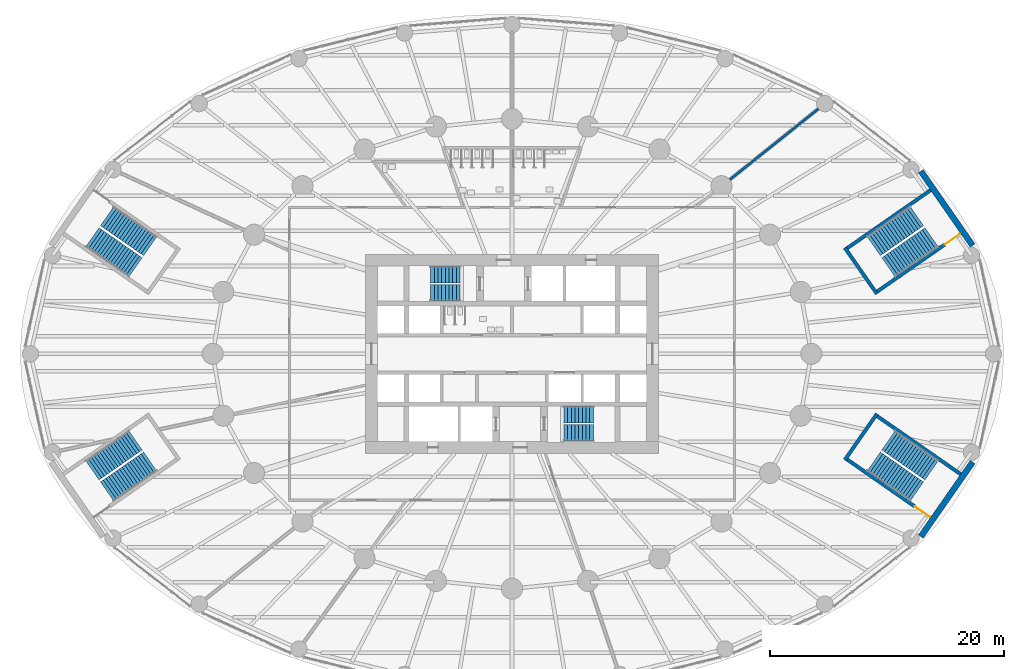
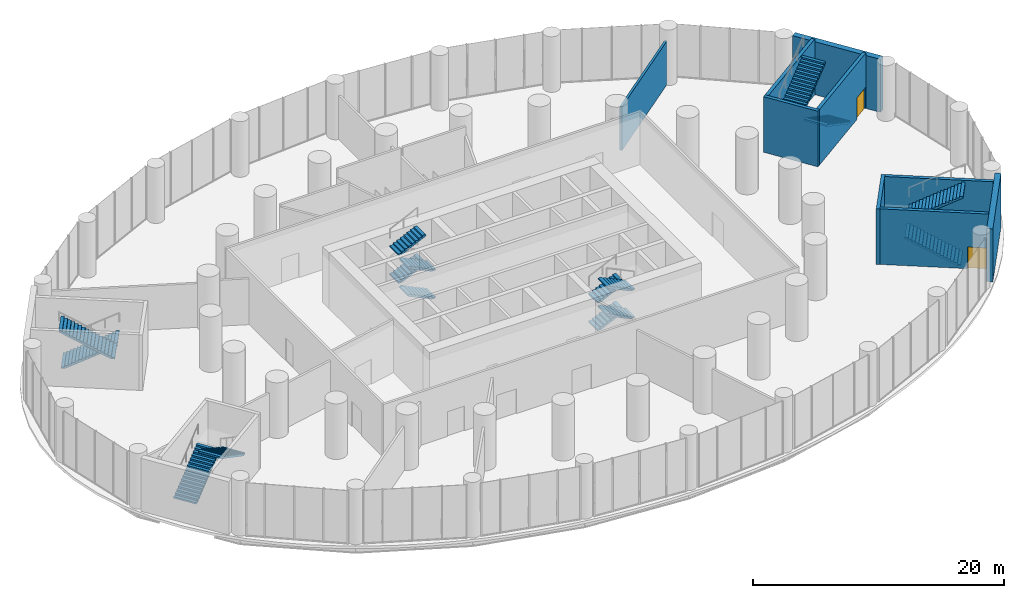
# One storey, part 18 of 21: 16 stair flights, 9 walls, 2 doors, 2 openings, 6 elements without a shape of their own.
"""IFC4 building model written with IfcOpenShell, lengths in metres."""

from ifc_helpers import new_model, si_unit, direction, frame, frame_2d, origin, place, context, subcontext, project, spatial, polyline, rectangle, outline, extrude, material, layer, layer_set, type_object, element, fill, aggregate, save


model = new_model("IFC4")

# Units and contexts
model_context = context("Model", 3, precision=1e-05, world=origin(), true_north=direction((0.0, 1.0)))
body_context = subcontext(model_context, "Body", "Model", "MODEL_VIEW")
ifc_project = project(units=[si_unit("LENGTHUNIT", "METRE"), si_unit("AREAUNIT", "SQUARE_METRE"), si_unit("VOLUMEUNIT", "CUBIC_METRE"), si_unit("PLANEANGLEUNIT", "RADIAN"), si_unit("MASSUNIT", "GRAM", prefix="KILO")], contexts=[model_context])

# Site, building, storey
site_placement = place(None, origin())
site = spatial("IfcSite", under=ifc_project, at=site_placement, CompositionType="ELEMENT")
building_placement = place(site_placement, origin())
building = spatial("IfcBuilding", under=site, at=building_placement, Name="Hankou Lantern Tower", CompositionType="ELEMENT")
storey_placement = place(building_placement, frame((0.0, 0.0, 13.800048828125)))
storey = spatial("IfcBuildingStorey", under=building, at=storey_placement, Name="L02", CompositionType="ELEMENT", Elevation=13.800048828125)

# Wall, opening, door
ifc_material_1 = material(Name="Concrete C50", Category="concrete")
ifc_layer_1 = layer(ifc_material_1, 0.300048828125)
ifc_layer_set_1 = layer_set([ifc_layer_1], Name="Concrete C50")
wall_type_1 = type_object("IfcWallType", Name="CW7 PODIUM STAIR WALL 300", PredefinedType="SHEAR", material=ifc_layer_set_1)
wall_1_placement = place(storey_placement, frame((38.29931640625, 10.273681640625, 0.0), z_axis=(0.0, 0.0, 1.0), x_axis=(-0.820936803751, -0.571019057692, 0.0)))
wall_1 = element("IfcWall", 1, at=wall_1_placement, inside=storey, type_object=wall_type_1, Name="Podium stair P1 wall", PredefinedType="SHEAR", context=body_context, shape_type="SweptSolid", body=[
    extrude(rectangle(XDim=8.66015625, YDim=0.300048828125, at=frame_2d((4.330078125, 0.0))), origin(), (0.0, 0.0, 1.0), 5.39990234375),
])
opening_1_placement = place(wall_1_placement, frame((0.050048828125, 0.0, 0.0)))
opening_1 = element("IfcOpeningElement", 2, at=opening_1_placement, cuts=wall_1, Name="Opening D16", PredefinedType="OPENING", context=body_context, shape_type="SweptSolid", body=[
    extrude(rectangle(XDim=1.60009765625, YDim=2.10009765625, at=frame_2d((0.800048828125, 1.050048828125))), frame((0.0, 0.159912109375, 0.0), z_axis=(0.0, -1.0, 0.0), x_axis=(1.0, 0.0, 0.0)), (0.0, 0.0, 1.0), 0.320068359375),
])
ifc_material_2 = material(Name="Steel door leaf", Category="steel")
door_type = type_object("IfcDoorType", Name="D16 PODIUM STAIR DOOR 1600X2100", OperationType="SINGLE_SWING_LEFT", PredefinedType="DOOR", material=ifc_material_2)
door_1_placement = place(opening_1_placement, origin())
door_1 = element("IfcDoor", 3, at=door_1_placement, inside=storey, type_object=door_type, Name="Podium stair P1 door", OperationType="SINGLE_SWING_RIGHT", OverallHeight=2.10009765625, OverallWidth=1.60009765625, PredefinedType="DOOR", context=body_context, shape_type="SweptSolid", body=[
    extrude(rectangle(XDim=1.60009765625, YDim=2.10009765625, at=frame_2d((0.800048828125, 1.050048828125))), frame((0.0, 0.02490234375, 0.0), z_axis=(0.0, -1.0, 0.0), x_axis=(1.0, 0.0, 0.0)), (0.0, 0.0, 1.0), 0.050048828125),
])
fill(opening_1, door_1)

# Walls
wall_2_placement = place(storey_placement, frame((35.7294921875, 13.968017578125, 0.0), z_axis=(0.0, 0.0, 1.0), x_axis=(-0.82092761123, -0.571032273274, 0.0)))
element("IfcWall", 4, at=wall_2_placement, inside=storey, type_object=wall_type_1, Name="Podium stair P1 wall", PredefinedType="SHEAR", context=body_context, shape_type="SweptSolid", body=[
    extrude(rectangle(XDim=8.659912109375, YDim=0.300048828125, at=frame_2d((4.330078125, 0.0))), origin(), (0.0, 0.0, 1.0), 5.39990234375),
])
wall_3_placement = place(storey_placement, frame((31.152587890625, 5.119873046875, 0.0), z_axis=(0.0, 0.0, 1.0), x_axis=(-0.571036173178, 0.820924898467, 0.0)))
element("IfcWall", 5, at=wall_3_placement, inside=storey, type_object=wall_type_1, Name="Podium stair P1 wall", PredefinedType="SHEAR", context=body_context, shape_type="SweptSolid", body=[
    extrude(rectangle(XDim=4.800048828125, YDim=0.300048828125, at=frame_2d((2.39990234375, 0.0))), origin(), (0.0, 0.0, 1.0), 5.39990234375),
])

# Wall, opening, door
wall_4_placement = place(storey_placement, frame((35.7294921875, -13.968017578125, 0.0), z_axis=(0.0, 0.0, 1.0), x_axis=(-0.82092761123, 0.571032273274, 0.0)))
wall_4 = element("IfcWall", 6, at=wall_4_placement, inside=storey, type_object=wall_type_1, Name="Podium stair P4 wall", PredefinedType="SHEAR", context=body_context, shape_type="SweptSolid", body=[
    extrude(rectangle(XDim=8.659912109375, YDim=0.300048828125, at=frame_2d((4.330078125, 0.0))), origin(), (0.0, 0.0, 1.0), 5.39990234375),
])
opening_2_placement = place(wall_4_placement, frame((0.050048828125, 0.0, 0.0)))
opening_2 = element("IfcOpeningElement", 7, at=opening_2_placement, cuts=wall_4, Name="Opening D16", PredefinedType="OPENING", context=body_context, shape_type="SweptSolid", body=[
    extrude(rectangle(XDim=1.60009765625, YDim=2.10009765625, at=frame_2d((0.800048828125, 1.050048828125))), frame((0.0, 0.159912109375, 0.0), z_axis=(0.0, -1.0, 0.0), x_axis=(1.0, 0.0, 0.0)), (0.0, 0.0, 1.0), 0.320068359375),
])
door_2_placement = place(opening_2_placement, origin())
door_2 = element("IfcDoor", 8, at=door_2_placement, inside=storey, type_object=door_type, Name="Podium stair P4 door", OperationType="SINGLE_SWING_LEFT", OverallHeight=2.10009765625, OverallWidth=1.60009765625, PredefinedType="DOOR", context=body_context, shape_type="SweptSolid", body=[
    extrude(rectangle(XDim=1.60009765625, YDim=2.10009765625, at=frame_2d((0.800048828125, 1.050048828125))), frame((0.0, 0.02490234375, 0.0), z_axis=(0.0, -1.0, 0.0), x_axis=(1.0, 0.0, 0.0)), (0.0, 0.0, 1.0), 0.050048828125),
])
fill(opening_2, door_2)

# Walls
wall_5_placement = place(storey_placement, frame((38.29931640625, -10.273681640625, 0.0), z_axis=(0.0, 0.0, 1.0), x_axis=(-0.820936803751, 0.571019057692, 0.0)))
element("IfcWall", 9, at=wall_5_placement, inside=storey, type_object=wall_type_1, Name="Podium stair P4 wall", PredefinedType="SHEAR", context=body_context, shape_type="SweptSolid", body=[
    extrude(rectangle(XDim=8.66015625, YDim=0.300048828125, at=frame_2d((4.330078125, 0.0))), origin(), (0.0, 0.0, 1.0), 5.39990234375),
])
wall_6_placement = place(storey_placement, frame((28.41162109375, -9.060302734375, 0.0), z_axis=(0.0, 0.0, 1.0), x_axis=(0.571036173178, 0.820924898467, 0.0)))
element("IfcWall", 10, at=wall_6_placement, inside=storey, type_object=wall_type_1, Name="Podium stair P4 wall", PredefinedType="SHEAR", context=body_context, shape_type="SweptSolid", body=[
    extrude(rectangle(XDim=4.800048828125, YDim=0.300048828125, at=frame_2d((2.39990234375, 0.0))), origin(), (0.0, 0.0, 1.0), 5.39990234375),
])
ifc_material_3 = material(Name="Granite cladding on reinforced concrete C50", Category="masonry")
ifc_layer_2 = layer(ifc_material_3, 0.5)
ifc_layer_set_2 = layer_set([ifc_layer_2], Name="Granite cladding on reinforced concrete C50")
wall_type_2 = type_object("IfcWallType", Name="EW2 STONE PORTAL WALL 500", PredefinedType="SOLIDWALL", material=ifc_layer_set_2)
for number, where, z_axis, x_axis, name in (
    (11, (39.3203125, 9.24365234375, 0.0), (0.0, 0.0, 1.0), (-0.571029335057, 0.820929655028, 0.0), "Portal wall R02 L02"),
    (12, (34.90478515625, -15.591552734375, 0.0), (0.0, 0.0, 1.0), (0.571029335057, 0.820929655028, 0.0), "Portal wall R23 L02"),
):
    element("IfcWall", number, at=place(storey_placement, frame(where, z_axis=z_axis, x_axis=x_axis)), inside=storey, type_object=wall_type_2, Name=name, PredefinedType="SOLIDWALL", context=body_context, shape_type="SweptSolid", body=[
        extrude(rectangle(XDim=7.732666015625, YDim=0.5, at=frame_2d((3.8662109375, 0.0))), origin(), (0.0, 0.0, 1.0), 5.14990234375),
    ])
ifc_material_4 = material(Name="Masonry lightweight concrete block", Category="masonry")
ifc_layer_3 = layer(ifc_material_4, 0.199951171875)
ifc_layer_set_3 = layer_set([ifc_layer_3], Name="Masonry lightweight concrete block")
wall_type_3 = type_object("IfcWallType", Name="IW8 PARTITION 200", PredefinedType="PARTITIONING", material=ifc_layer_set_3)
wall_7_placement = place(storey_placement, frame((18.594482421875, 14.87548828125, 0.0), z_axis=(0.0, 0.0, 1.0), x_axis=(0.780868809443, 0.624695047554, 0.0)))
element("IfcWall", 13, at=wall_7_placement, inside=storey, type_object=wall_type_3, Name="Partition R04", PredefinedType="PARTITIONING", context=body_context, shape_type="SweptSolid", body=[
    extrude(rectangle(XDim=9.883056640625, YDim=0.199951171875, at=frame_2d((4.94140625, 0.0))), origin(), (0.0, 0.0, 1.0), 4.25),
])

# Stair, stair flights
ifc_material_5 = material(Name="Concrete C40", Category="concrete")
stair_type_1 = type_object("IfcStairType", Name="ST54 CORE STAIR 5400 RISE", PredefinedType="HALF_TURN_STAIR", material=ifc_material_5)
stair_1_placement = place(storey_placement, origin())
stair_1 = element("IfcStair", 14, at=stair_1_placement, inside=storey, type_object=stair_type_1, Name="Stair STA L02", PredefinedType="HALF_TURN_STAIR")
ifc_material_6 = material(Name="Concrete C40", Category="concrete")
stair_flight_type_1 = type_object("IfcStairFlightType", Name="CF9 CORE STAIR FLIGHT 1400 X 9 RISERS", PredefinedType="STRAIGHT", material=ifc_material_6)
stair_flight_1_placement = place(storey_placement, frame((-4.429931640625, 5.199951171875, 0.0), z_axis=(0.0, 0.0, 1.0), x_axis=(-1.0, 0.0, 0.0)))
stair_flight_1 = element("IfcStairFlight", 15, at=stair_flight_1_placement, type_object=stair_flight_type_1, Name="STA flight 1", NumberOfRisers=9, NumberOfTreads=8, PredefinedType="STRAIGHT", RiserHeight=0.15, TreadLength=0.315, context=body_context, shape_type="SweptSolid", body=[
    extrude(outline(polyline([(0.0, 0.0), (0.0, 0.14990234375), (0.31494140625, 0.14990234375), (0.31494140625, 0.300048828125), (0.6298828125, 0.300048828125), (0.6298828125, 0.449951171875), (0.945068359375, 0.449951171875), (0.945068359375, 0.60009765625), (1.260009765625, 0.60009765625), (1.260009765625, 0.75), (1.574951171875, 0.75), (1.574951171875, 0.89990234375), (1.889892578125, 0.89990234375), (1.889892578125, 1.050048828125), (2.205078125, 1.050048828125), (2.205078125, 1.199951171875), (2.52001953125, 1.199951171875), (2.52001953125, 1.35009765625), (2.52001953125, 1.033935546875), (0.3486328125, 0.0), (0.0, 0.0)])), frame((0.0, 0.699951171875, 0.0), z_axis=(0.0, -1.0, 0.0), x_axis=(1.0, 0.0, 0.0)), (0.0, 0.0, 1.0), 1.39990234375),
])
stair_flight_2_placement = place(storey_placement, frame((-6.949951171875, 6.75, 1.349853515625), z_axis=(0.0, 0.0, 1.0), x_axis=(1.0, 0.0, 0.0)))
stair_flight_2 = element("IfcStairFlight", 16, at=stair_flight_2_placement, type_object=stair_flight_type_1, Name="STA flight 2", NumberOfRisers=9, NumberOfTreads=8, PredefinedType="STRAIGHT", RiserHeight=0.15, TreadLength=0.315, context=body_context, shape_type="SweptSolid", body=[
    extrude(outline(polyline([(0.0, 0.0), (0.0, 0.14990234375), (0.31494140625, 0.14990234375), (0.31494140625, 0.300048828125), (0.6298828125, 0.300048828125), (0.6298828125, 0.449951171875), (0.945068359375, 0.449951171875), (0.945068359375, 0.60009765625), (1.260009765625, 0.60009765625), (1.260009765625, 0.75), (1.574951171875, 0.75), (1.574951171875, 0.89990234375), (1.889892578125, 0.89990234375), (1.889892578125, 1.050048828125), (2.205078125, 1.050048828125), (2.205078125, 1.199951171875), (2.52001953125, 1.199951171875), (2.52001953125, 1.35009765625), (2.52001953125, 1.033935546875), (0.3486328125, 0.0), (0.0, 0.0)])), frame((0.0, 0.699951171875, 0.0), z_axis=(0.0, -1.0, 0.0), x_axis=(1.0, 0.0, 0.0)), (0.0, 0.0, 1.0), 1.39990234375),
])
stair_flight_3_placement = place(storey_placement, frame((-4.429931640625, 5.199951171875, 2.699951171875), z_axis=(0.0, 0.0, 1.0), x_axis=(-1.0, 0.0, 0.0)))
stair_flight_3 = element("IfcStairFlight", 17, at=stair_flight_3_placement, type_object=stair_flight_type_1, Name="STA flight 3", NumberOfRisers=9, NumberOfTreads=8, PredefinedType="STRAIGHT", RiserHeight=0.15, TreadLength=0.315, context=body_context, shape_type="SweptSolid", body=[
    extrude(outline(polyline([(0.0, 0.0), (0.0, 0.14990234375), (0.31494140625, 0.14990234375), (0.31494140625, 0.300048828125), (0.6298828125, 0.300048828125), (0.6298828125, 0.449951171875), (0.945068359375, 0.449951171875), (0.945068359375, 0.60009765625), (1.260009765625, 0.60009765625), (1.260009765625, 0.75), (1.574951171875, 0.75), (1.574951171875, 0.89990234375), (1.889892578125, 0.89990234375), (1.889892578125, 1.050048828125), (2.205078125, 1.050048828125), (2.205078125, 1.199951171875), (2.52001953125, 1.199951171875), (2.52001953125, 1.35009765625), (2.52001953125, 1.033935546875), (0.3486328125, 0.0), (0.0, 0.0)])), frame((0.0, 0.699951171875, 0.0), z_axis=(0.0, -1.0, 0.0), x_axis=(1.0, 0.0, 0.0)), (0.0, 0.0, 1.0), 1.39990234375),
])
stair_flight_4_placement = place(storey_placement, frame((-6.949951171875, 6.75, 4.050048828125), z_axis=(0.0, 0.0, 1.0), x_axis=(1.0, 0.0, 0.0)))
stair_flight_4 = element("IfcStairFlight", 18, at=stair_flight_4_placement, type_object=stair_flight_type_1, Name="STA flight 4", NumberOfRisers=9, NumberOfTreads=8, PredefinedType="STRAIGHT", RiserHeight=0.15, TreadLength=0.315, context=body_context, shape_type="SweptSolid", body=[
    extrude(outline(polyline([(0.0, 0.0), (0.0, 0.14990234375), (0.31494140625, 0.14990234375), (0.31494140625, 0.300048828125), (0.6298828125, 0.300048828125), (0.6298828125, 0.449951171875), (0.945068359375, 0.449951171875), (0.945068359375, 0.60009765625), (1.260009765625, 0.60009765625), (1.260009765625, 0.75), (1.574951171875, 0.75), (1.574951171875, 0.89990234375), (1.889892578125, 0.89990234375), (1.889892578125, 1.050048828125), (2.205078125, 1.050048828125), (2.205078125, 1.199951171875), (2.52001953125, 1.199951171875), (2.52001953125, 1.35009765625), (2.52001953125, 1.033935546875), (0.3486328125, 0.0), (0.0, 0.0)])), frame((0.0, 0.699951171875, 0.0), z_axis=(0.0, -1.0, 0.0), x_axis=(1.0, 0.0, 0.0)), (0.0, 0.0, 1.0), 1.39990234375),
])
aggregate(stair_1, [stair_flight_1, stair_flight_2, stair_flight_3, stair_flight_4])

stair_2_placement = place(storey_placement, origin())
stair_2 = element("IfcStair", 19, at=stair_2_placement, inside=storey, type_object=stair_type_1, Name="Stair STB L02", PredefinedType="HALF_TURN_STAIR")
stair_flight_5_placement = place(storey_placement, frame((4.429931640625, -5.199951171875, 0.0), z_axis=(0.0, 0.0, 1.0), x_axis=(1.0, 0.0, 0.0)))
stair_flight_5 = element("IfcStairFlight", 20, at=stair_flight_5_placement, type_object=stair_flight_type_1, Name="STB flight 1", NumberOfRisers=9, NumberOfTreads=8, PredefinedType="STRAIGHT", RiserHeight=0.15, TreadLength=0.315, context=body_context, shape_type="SweptSolid", body=[
    extrude(outline(polyline([(0.0, 0.0), (0.0, 0.14990234375), (0.31494140625, 0.14990234375), (0.31494140625, 0.300048828125), (0.6298828125, 0.300048828125), (0.6298828125, 0.449951171875), (0.945068359375, 0.449951171875), (0.945068359375, 0.60009765625), (1.260009765625, 0.60009765625), (1.260009765625, 0.75), (1.574951171875, 0.75), (1.574951171875, 0.89990234375), (1.889892578125, 0.89990234375), (1.889892578125, 1.050048828125), (2.205078125, 1.050048828125), (2.205078125, 1.199951171875), (2.52001953125, 1.199951171875), (2.52001953125, 1.35009765625), (2.52001953125, 1.033935546875), (0.3486328125, 0.0), (0.0, 0.0)])), frame((0.0, 0.699951171875, 0.0), z_axis=(0.0, -1.0, 0.0), x_axis=(1.0, 0.0, 0.0)), (0.0, 0.0, 1.0), 1.39990234375),
])
stair_flight_6_placement = place(storey_placement, frame((6.949951171875, -6.75, 1.349853515625), z_axis=(0.0, 0.0, 1.0), x_axis=(-1.0, 0.0, 0.0)))
stair_flight_6 = element("IfcStairFlight", 21, at=stair_flight_6_placement, type_object=stair_flight_type_1, Name="STB flight 2", NumberOfRisers=9, NumberOfTreads=8, PredefinedType="STRAIGHT", RiserHeight=0.15, TreadLength=0.315, context=body_context, shape_type="SweptSolid", body=[
    extrude(outline(polyline([(0.0, 0.0), (0.0, 0.14990234375), (0.31494140625, 0.14990234375), (0.31494140625, 0.300048828125), (0.6298828125, 0.300048828125), (0.6298828125, 0.449951171875), (0.945068359375, 0.449951171875), (0.945068359375, 0.60009765625), (1.260009765625, 0.60009765625), (1.260009765625, 0.75), (1.574951171875, 0.75), (1.574951171875, 0.89990234375), (1.889892578125, 0.89990234375), (1.889892578125, 1.050048828125), (2.205078125, 1.050048828125), (2.205078125, 1.199951171875), (2.52001953125, 1.199951171875), (2.52001953125, 1.35009765625), (2.52001953125, 1.033935546875), (0.3486328125, 0.0), (0.0, 0.0)])), frame((0.0, 0.699951171875, 0.0), z_axis=(0.0, -1.0, 0.0), x_axis=(1.0, 0.0, 0.0)), (0.0, 0.0, 1.0), 1.39990234375),
])
stair_flight_7_placement = place(storey_placement, frame((4.429931640625, -5.199951171875, 2.699951171875), z_axis=(0.0, 0.0, 1.0), x_axis=(1.0, 0.0, 0.0)))
stair_flight_7 = element("IfcStairFlight", 22, at=stair_flight_7_placement, type_object=stair_flight_type_1, Name="STB flight 3", NumberOfRisers=9, NumberOfTreads=8, PredefinedType="STRAIGHT", RiserHeight=0.15, TreadLength=0.315, context=body_context, shape_type="SweptSolid", body=[
    extrude(outline(polyline([(0.0, 0.0), (0.0, 0.14990234375), (0.31494140625, 0.14990234375), (0.31494140625, 0.300048828125), (0.6298828125, 0.300048828125), (0.6298828125, 0.449951171875), (0.945068359375, 0.449951171875), (0.945068359375, 0.60009765625), (1.260009765625, 0.60009765625), (1.260009765625, 0.75), (1.574951171875, 0.75), (1.574951171875, 0.89990234375), (1.889892578125, 0.89990234375), (1.889892578125, 1.050048828125), (2.205078125, 1.050048828125), (2.205078125, 1.199951171875), (2.52001953125, 1.199951171875), (2.52001953125, 1.35009765625), (2.52001953125, 1.033935546875), (0.3486328125, 0.0), (0.0, 0.0)])), frame((0.0, 0.699951171875, 0.0), z_axis=(0.0, -1.0, 0.0), x_axis=(1.0, 0.0, 0.0)), (0.0, 0.0, 1.0), 1.39990234375),
])
stair_flight_8_placement = place(storey_placement, frame((6.949951171875, -6.75, 4.050048828125), z_axis=(0.0, 0.0, 1.0), x_axis=(-1.0, 0.0, 0.0)))
stair_flight_8 = element("IfcStairFlight", 23, at=stair_flight_8_placement, type_object=stair_flight_type_1, Name="STB flight 4", NumberOfRisers=9, NumberOfTreads=8, PredefinedType="STRAIGHT", RiserHeight=0.15, TreadLength=0.315, context=body_context, shape_type="SweptSolid", body=[
    extrude(outline(polyline([(0.0, 0.0), (0.0, 0.14990234375), (0.31494140625, 0.14990234375), (0.31494140625, 0.300048828125), (0.6298828125, 0.300048828125), (0.6298828125, 0.449951171875), (0.945068359375, 0.449951171875), (0.945068359375, 0.60009765625), (1.260009765625, 0.60009765625), (1.260009765625, 0.75), (1.574951171875, 0.75), (1.574951171875, 0.89990234375), (1.889892578125, 0.89990234375), (1.889892578125, 1.050048828125), (2.205078125, 1.050048828125), (2.205078125, 1.199951171875), (2.52001953125, 1.199951171875), (2.52001953125, 1.35009765625), (2.52001953125, 1.033935546875), (0.3486328125, 0.0), (0.0, 0.0)])), frame((0.0, 0.699951171875, 0.0), z_axis=(0.0, -1.0, 0.0), x_axis=(1.0, 0.0, 0.0)), (0.0, 0.0, 1.0), 1.39990234375),
])
aggregate(stair_2, [stair_flight_5, stair_flight_6, stair_flight_7, stair_flight_8])

ifc_material_7 = material(Name="Concrete C40", Category="concrete")
stair_type_2 = type_object("IfcStairType", Name="PS54 PODIUM STAIR 5400 RISE", PredefinedType="HALF_TURN_STAIR", material=ifc_material_7)
stair_3_placement = place(storey_placement, origin())
stair_3 = element("IfcStair", 24, at=stair_3_placement, inside=storey, type_object=stair_type_2, Name="Stair P1 L02", PredefinedType="HALF_TURN_STAIR")
ifc_material_8 = material(Name="Concrete C40", Category="concrete")
stair_flight_type_2 = type_object("IfcStairFlightType", Name="PF17 PODIUM STAIR FLIGHT 2000 X 17 RISERS", PredefinedType="STRAIGHT", material=ifc_material_8)
stair_flight_9_placement = place(storey_placement, frame((35.811767578125, 9.944580078125, 0.0), z_axis=(0.0, 0.0, 1.0), x_axis=(-0.820927362045, -0.571032631507, 0.0)))
stair_flight_9 = element("IfcStairFlight", 25, at=stair_flight_9_placement, type_object=stair_flight_type_2, Name="P1 flight 1", NumberOfRisers=17, NumberOfTreads=16, PredefinedType="STRAIGHT", RiserHeight=0.158823529, TreadLength=0.28, context=body_context, shape_type="SweptSolid", body=[
    extrude(outline(polyline([(0.0, 0.0), (0.0, 0.158935546875), (0.280029296875, 0.158935546875), (0.280029296875, 0.317626953125), (0.56005859375, 0.317626953125), (0.56005859375, 0.4765625), (0.840087890625, 0.4765625), (0.840087890625, 0.63525390625), (1.1201171875, 0.63525390625), (1.1201171875, 0.794189453125), (1.39990234375, 0.794189453125), (1.39990234375, 0.952880859375), (1.679931640625, 0.952880859375), (1.679931640625, 1.11181640625), (1.9599609375, 1.11181640625), (1.9599609375, 1.2705078125), (2.239990234375, 1.2705078125), (2.239990234375, 1.429443359375), (2.52001953125, 1.429443359375), (2.52001953125, 1.588134765625), (2.800048828125, 1.588134765625), (2.800048828125, 1.7470703125), (3.080078125, 1.7470703125), (3.080078125, 1.90576171875), (3.360107421875, 1.90576171875), (3.360107421875, 2.064697265625), (3.639892578125, 2.064697265625), (3.639892578125, 2.2236328125), (3.919921875, 2.2236328125), (3.919921875, 2.38232421875), (4.199951171875, 2.38232421875), (4.199951171875, 2.541259765625), (4.47998046875, 2.541259765625), (4.47998046875, 2.699951171875), (4.47998046875, 2.368896484375), (0.3037109375, 0.0), (0.0, 0.0)])), frame((0.0, 1.0, 0.0), z_axis=(0.0, -1.0, 0.0), x_axis=(1.0, 0.0, 0.0)), (0.0, 0.0, 1.0), 2.0),
])
stair_flight_10_placement = place(storey_placement, frame((30.8779296875, 9.1923828125, 2.699951171875), z_axis=(0.0, 0.0, 1.0), x_axis=(0.820927362045, 0.571032631507, 0.0)))
stair_flight_10 = element("IfcStairFlight", 26, at=stair_flight_10_placement, type_object=stair_flight_type_2, Name="P1 flight 2", NumberOfRisers=17, NumberOfTreads=16, PredefinedType="STRAIGHT", RiserHeight=0.158823529, TreadLength=0.28, context=body_context, shape_type="SweptSolid", body=[
    extrude(outline(polyline([(0.0, 0.0), (0.0, 0.158935546875), (0.280029296875, 0.158935546875), (0.280029296875, 0.317626953125), (0.56005859375, 0.317626953125), (0.56005859375, 0.4765625), (0.840087890625, 0.4765625), (0.840087890625, 0.63525390625), (1.1201171875, 0.63525390625), (1.1201171875, 0.794189453125), (1.39990234375, 0.794189453125), (1.39990234375, 0.952880859375), (1.679931640625, 0.952880859375), (1.679931640625, 1.11181640625), (1.9599609375, 1.11181640625), (1.9599609375, 1.2705078125), (2.239990234375, 1.2705078125), (2.239990234375, 1.429443359375), (2.52001953125, 1.429443359375), (2.52001953125, 1.588134765625), (2.800048828125, 1.588134765625), (2.800048828125, 1.7470703125), (3.080078125, 1.7470703125), (3.080078125, 1.90576171875), (3.360107421875, 1.90576171875), (3.360107421875, 2.064697265625), (3.639892578125, 2.064697265625), (3.639892578125, 2.2236328125), (3.919921875, 2.2236328125), (3.919921875, 2.38232421875), (4.199951171875, 2.38232421875), (4.199951171875, 2.541259765625), (4.47998046875, 2.541259765625), (4.47998046875, 2.699951171875), (4.47998046875, 2.368896484375), (0.3037109375, 0.0), (0.0, 0.0)])), frame((0.0, 1.0, 0.0), z_axis=(0.0, -1.0, 0.0), x_axis=(1.0, 0.0, 0.0)), (0.0, 0.0, 1.0), 2.0),
])
aggregate(stair_3, [stair_flight_9, stair_flight_10])

stair_4_placement = place(storey_placement, origin())
stair_4 = element("IfcStair", 27, at=stair_4_placement, inside=storey, type_object=stair_type_2, Name="Stair P2 L02", PredefinedType="HALF_TURN_STAIR")
stair_flight_11_placement = place(storey_placement, frame((-34.5556640625, 11.75048828125, 0.0), z_axis=(0.0, 0.0, 1.0), x_axis=(0.820927362045, -0.571032631507, 0.0)))
stair_flight_11 = element("IfcStairFlight", 28, at=stair_flight_11_placement, type_object=stair_flight_type_2, Name="P2 flight 1", NumberOfRisers=17, NumberOfTreads=16, PredefinedType="STRAIGHT", RiserHeight=0.158823529, TreadLength=0.28, context=body_context, shape_type="SweptSolid", body=[
    extrude(outline(polyline([(0.0, 0.0), (0.0, 0.158935546875), (0.280029296875, 0.158935546875), (0.280029296875, 0.317626953125), (0.56005859375, 0.317626953125), (0.56005859375, 0.4765625), (0.840087890625, 0.4765625), (0.840087890625, 0.63525390625), (1.1201171875, 0.63525390625), (1.1201171875, 0.794189453125), (1.39990234375, 0.794189453125), (1.39990234375, 0.952880859375), (1.679931640625, 0.952880859375), (1.679931640625, 1.11181640625), (1.9599609375, 1.11181640625), (1.9599609375, 1.2705078125), (2.239990234375, 1.2705078125), (2.239990234375, 1.429443359375), (2.52001953125, 1.429443359375), (2.52001953125, 1.588134765625), (2.800048828125, 1.588134765625), (2.800048828125, 1.7470703125), (3.080078125, 1.7470703125), (3.080078125, 1.90576171875), (3.360107421875, 1.90576171875), (3.360107421875, 2.064697265625), (3.639892578125, 2.064697265625), (3.639892578125, 2.2236328125), (3.919921875, 2.2236328125), (3.919921875, 2.38232421875), (4.199951171875, 2.38232421875), (4.199951171875, 2.541259765625), (4.47998046875, 2.541259765625), (4.47998046875, 2.699951171875), (4.47998046875, 2.368896484375), (0.3037109375, 0.0), (0.0, 0.0)])), frame((0.0, 1.0, 0.0), z_axis=(0.0, -1.0, 0.0), x_axis=(1.0, 0.0, 0.0)), (0.0, 0.0, 1.0), 2.0),
])
stair_flight_12_placement = place(storey_placement, frame((-32.134033203125, 7.38623046875, 2.699951171875), z_axis=(0.0, 0.0, 1.0), x_axis=(-0.820927362045, 0.571032631507, 0.0)))
stair_flight_12 = element("IfcStairFlight", 29, at=stair_flight_12_placement, type_object=stair_flight_type_2, Name="P2 flight 2", NumberOfRisers=17, NumberOfTreads=16, PredefinedType="STRAIGHT", RiserHeight=0.158823529, TreadLength=0.28, context=body_context, shape_type="SweptSolid", body=[
    extrude(outline(polyline([(0.0, 0.0), (0.0, 0.158935546875), (0.280029296875, 0.158935546875), (0.280029296875, 0.317626953125), (0.56005859375, 0.317626953125), (0.56005859375, 0.4765625), (0.840087890625, 0.4765625), (0.840087890625, 0.63525390625), (1.1201171875, 0.63525390625), (1.1201171875, 0.794189453125), (1.39990234375, 0.794189453125), (1.39990234375, 0.952880859375), (1.679931640625, 0.952880859375), (1.679931640625, 1.11181640625), (1.9599609375, 1.11181640625), (1.9599609375, 1.2705078125), (2.239990234375, 1.2705078125), (2.239990234375, 1.429443359375), (2.52001953125, 1.429443359375), (2.52001953125, 1.588134765625), (2.800048828125, 1.588134765625), (2.800048828125, 1.7470703125), (3.080078125, 1.7470703125), (3.080078125, 1.90576171875), (3.360107421875, 1.90576171875), (3.360107421875, 2.064697265625), (3.639892578125, 2.064697265625), (3.639892578125, 2.2236328125), (3.919921875, 2.2236328125), (3.919921875, 2.38232421875), (4.199951171875, 2.38232421875), (4.199951171875, 2.541259765625), (4.47998046875, 2.541259765625), (4.47998046875, 2.699951171875), (4.47998046875, 2.368896484375), (0.3037109375, 0.0), (0.0, 0.0)])), frame((0.0, 1.0, 0.0), z_axis=(0.0, -1.0, 0.0), x_axis=(1.0, 0.0, 0.0)), (0.0, 0.0, 1.0), 2.0),
])
aggregate(stair_4, [stair_flight_11, stair_flight_12])

stair_5_placement = place(storey_placement, origin())
stair_5 = element("IfcStair", 30, at=stair_5_placement, inside=storey, type_object=stair_type_2, Name="Stair P3 L02", PredefinedType="HALF_TURN_STAIR")
stair_flight_13_placement = place(storey_placement, frame((-35.811767578125, -9.944580078125, 0.0), z_axis=(0.0, 0.0, 1.0), x_axis=(0.820927362045, 0.571032631507, 0.0)))
stair_flight_13 = element("IfcStairFlight", 31, at=stair_flight_13_placement, type_object=stair_flight_type_2, Name="P3 flight 1", NumberOfRisers=17, NumberOfTreads=16, PredefinedType="STRAIGHT", RiserHeight=0.158823529, TreadLength=0.28, context=body_context, shape_type="SweptSolid", body=[
    extrude(outline(polyline([(0.0, 0.0), (0.0, 0.158935546875), (0.280029296875, 0.158935546875), (0.280029296875, 0.317626953125), (0.56005859375, 0.317626953125), (0.56005859375, 0.4765625), (0.840087890625, 0.4765625), (0.840087890625, 0.63525390625), (1.1201171875, 0.63525390625), (1.1201171875, 0.794189453125), (1.39990234375, 0.794189453125), (1.39990234375, 0.952880859375), (1.679931640625, 0.952880859375), (1.679931640625, 1.11181640625), (1.9599609375, 1.11181640625), (1.9599609375, 1.2705078125), (2.239990234375, 1.2705078125), (2.239990234375, 1.429443359375), (2.52001953125, 1.429443359375), (2.52001953125, 1.588134765625), (2.800048828125, 1.588134765625), (2.800048828125, 1.7470703125), (3.080078125, 1.7470703125), (3.080078125, 1.90576171875), (3.360107421875, 1.90576171875), (3.360107421875, 2.064697265625), (3.639892578125, 2.064697265625), (3.639892578125, 2.2236328125), (3.919921875, 2.2236328125), (3.919921875, 2.38232421875), (4.199951171875, 2.38232421875), (4.199951171875, 2.541259765625), (4.47998046875, 2.541259765625), (4.47998046875, 2.699951171875), (4.47998046875, 2.368896484375), (0.3037109375, 0.0), (0.0, 0.0)])), frame((0.0, 1.0, 0.0), z_axis=(0.0, -1.0, 0.0), x_axis=(1.0, 0.0, 0.0)), (0.0, 0.0, 1.0), 2.0),
])
stair_flight_14_placement = place(storey_placement, frame((-30.8779296875, -9.1923828125, 2.699951171875), z_axis=(0.0, 0.0, 1.0), x_axis=(-0.820927362045, -0.571032631507, 0.0)))
stair_flight_14 = element("IfcStairFlight", 32, at=stair_flight_14_placement, type_object=stair_flight_type_2, Name="P3 flight 2", NumberOfRisers=17, NumberOfTreads=16, PredefinedType="STRAIGHT", RiserHeight=0.158823529, TreadLength=0.28, context=body_context, shape_type="SweptSolid", body=[
    extrude(outline(polyline([(0.0, 0.0), (0.0, 0.158935546875), (0.280029296875, 0.158935546875), (0.280029296875, 0.317626953125), (0.56005859375, 0.317626953125), (0.56005859375, 0.4765625), (0.840087890625, 0.4765625), (0.840087890625, 0.63525390625), (1.1201171875, 0.63525390625), (1.1201171875, 0.794189453125), (1.39990234375, 0.794189453125), (1.39990234375, 0.952880859375), (1.679931640625, 0.952880859375), (1.679931640625, 1.11181640625), (1.9599609375, 1.11181640625), (1.9599609375, 1.2705078125), (2.239990234375, 1.2705078125), (2.239990234375, 1.429443359375), (2.52001953125, 1.429443359375), (2.52001953125, 1.588134765625), (2.800048828125, 1.588134765625), (2.800048828125, 1.7470703125), (3.080078125, 1.7470703125), (3.080078125, 1.90576171875), (3.360107421875, 1.90576171875), (3.360107421875, 2.064697265625), (3.639892578125, 2.064697265625), (3.639892578125, 2.2236328125), (3.919921875, 2.2236328125), (3.919921875, 2.38232421875), (4.199951171875, 2.38232421875), (4.199951171875, 2.541259765625), (4.47998046875, 2.541259765625), (4.47998046875, 2.699951171875), (4.47998046875, 2.368896484375), (0.3037109375, 0.0), (0.0, 0.0)])), frame((0.0, 1.0, 0.0), z_axis=(0.0, -1.0, 0.0), x_axis=(1.0, 0.0, 0.0)), (0.0, 0.0, 1.0), 2.0),
])
aggregate(stair_5, [stair_flight_13, stair_flight_14])

stair_6_placement = place(storey_placement, origin())
stair_6 = element("IfcStair", 33, at=stair_6_placement, inside=storey, type_object=stair_type_2, Name="Stair P4 L02", PredefinedType="HALF_TURN_STAIR")
stair_flight_15_placement = place(storey_placement, frame((34.5556640625, -11.75048828125, 0.0), z_axis=(0.0, 0.0, 1.0), x_axis=(-0.820927362045, 0.571032631507, 0.0)))
stair_flight_15 = element("IfcStairFlight", 34, at=stair_flight_15_placement, type_object=stair_flight_type_2, Name="P4 flight 1", NumberOfRisers=17, NumberOfTreads=16, PredefinedType="STRAIGHT", RiserHeight=0.158823529, TreadLength=0.28, context=body_context, shape_type="SweptSolid", body=[
    extrude(outline(polyline([(0.0, 0.0), (0.0, 0.158935546875), (0.280029296875, 0.158935546875), (0.280029296875, 0.317626953125), (0.56005859375, 0.317626953125), (0.56005859375, 0.4765625), (0.840087890625, 0.4765625), (0.840087890625, 0.63525390625), (1.1201171875, 0.63525390625), (1.1201171875, 0.794189453125), (1.39990234375, 0.794189453125), (1.39990234375, 0.952880859375), (1.679931640625, 0.952880859375), (1.679931640625, 1.11181640625), (1.9599609375, 1.11181640625), (1.9599609375, 1.2705078125), (2.239990234375, 1.2705078125), (2.239990234375, 1.429443359375), (2.52001953125, 1.429443359375), (2.52001953125, 1.588134765625), (2.800048828125, 1.588134765625), (2.800048828125, 1.7470703125), (3.080078125, 1.7470703125), (3.080078125, 1.90576171875), (3.360107421875, 1.90576171875), (3.360107421875, 2.064697265625), (3.639892578125, 2.064697265625), (3.639892578125, 2.2236328125), (3.919921875, 2.2236328125), (3.919921875, 2.38232421875), (4.199951171875, 2.38232421875), (4.199951171875, 2.541259765625), (4.47998046875, 2.541259765625), (4.47998046875, 2.699951171875), (4.47998046875, 2.368896484375), (0.3037109375, 0.0), (0.0, 0.0)])), frame((0.0, 1.0, 0.0), z_axis=(0.0, -1.0, 0.0), x_axis=(1.0, 0.0, 0.0)), (0.0, 0.0, 1.0), 2.0),
])
stair_flight_16_placement = place(storey_placement, frame((32.134033203125, -7.38623046875, 2.699951171875), z_axis=(0.0, 0.0, 1.0), x_axis=(0.820927362045, -0.571032631507, 0.0)))
stair_flight_16 = element("IfcStairFlight", 35, at=stair_flight_16_placement, type_object=stair_flight_type_2, Name="P4 flight 2", NumberOfRisers=17, NumberOfTreads=16, PredefinedType="STRAIGHT", RiserHeight=0.158823529, TreadLength=0.28, context=body_context, shape_type="SweptSolid", body=[
    extrude(outline(polyline([(0.0, 0.0), (0.0, 0.158935546875), (0.280029296875, 0.158935546875), (0.280029296875, 0.317626953125), (0.56005859375, 0.317626953125), (0.56005859375, 0.4765625), (0.840087890625, 0.4765625), (0.840087890625, 0.63525390625), (1.1201171875, 0.63525390625), (1.1201171875, 0.794189453125), (1.39990234375, 0.794189453125), (1.39990234375, 0.952880859375), (1.679931640625, 0.952880859375), (1.679931640625, 1.11181640625), (1.9599609375, 1.11181640625), (1.9599609375, 1.2705078125), (2.239990234375, 1.2705078125), (2.239990234375, 1.429443359375), (2.52001953125, 1.429443359375), (2.52001953125, 1.588134765625), (2.800048828125, 1.588134765625), (2.800048828125, 1.7470703125), (3.080078125, 1.7470703125), (3.080078125, 1.90576171875), (3.360107421875, 1.90576171875), (3.360107421875, 2.064697265625), (3.639892578125, 2.064697265625), (3.639892578125, 2.2236328125), (3.919921875, 2.2236328125), (3.919921875, 2.38232421875), (4.199951171875, 2.38232421875), (4.199951171875, 2.541259765625), (4.47998046875, 2.541259765625), (4.47998046875, 2.699951171875), (4.47998046875, 2.368896484375), (0.3037109375, 0.0), (0.0, 0.0)])), frame((0.0, 1.0, 0.0), z_axis=(0.0, -1.0, 0.0), x_axis=(1.0, 0.0, 0.0)), (0.0, 0.0, 1.0), 2.0),
])
aggregate(stair_6, [stair_flight_15, stair_flight_16])

save(model, "model.ifc")
